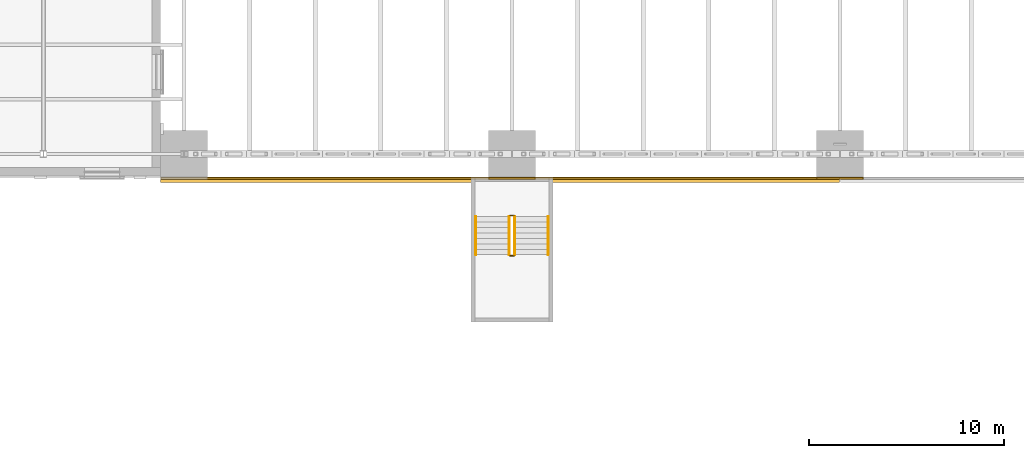
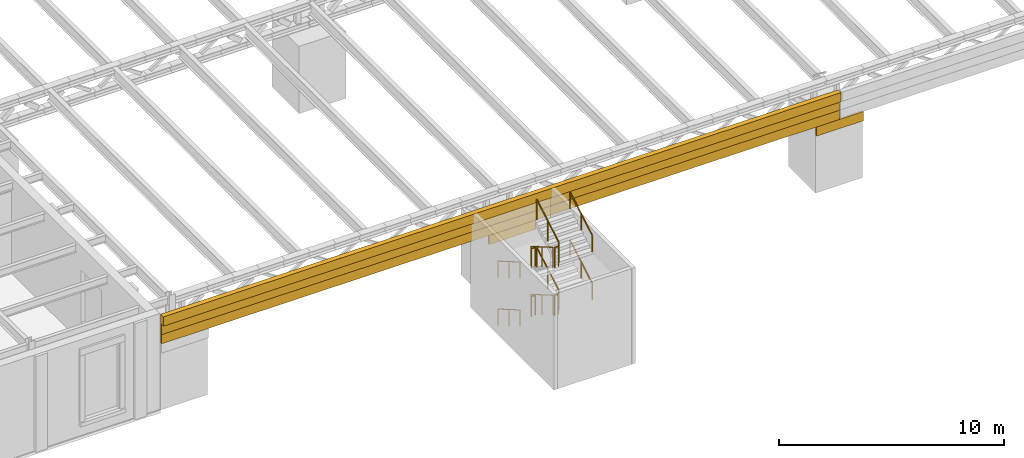
# One storey, part 80 of 93: 12 railings, 5 coverings.
"""IFC4 building model written with IfcOpenShell, lengths in metres."""

from ifc_helpers import new_model, si_unit, direction, frame, origin, origin_2d, place, context, subcontext, project, spatial, rectangle, circle, extrude, material, layer, layer_set, type_object, element, save


model = new_model("IFC4")

# Units and contexts
model_context = context("Model", 3, precision=1e-05, world=origin(), true_north=direction((0.0, 1.0)))
body_context = subcontext(model_context, "Body", "Model", "MODEL_VIEW")
ifc_project = project(units=[si_unit("LENGTHUNIT", "METRE"), si_unit("AREAUNIT", "SQUARE_METRE"), si_unit("VOLUMEUNIT", "CUBIC_METRE"), si_unit("PLANEANGLEUNIT", "RADIAN"), si_unit("MASSUNIT", "GRAM", prefix="KILO")], contexts=[model_context])

# Site, building, storey
site_placement = place(None, origin())
site = spatial("IfcSite", under=ifc_project, at=site_placement, CompositionType="ELEMENT")
building_placement = place(site_placement, origin())
building = spatial("IfcBuilding", under=site, at=building_placement, Name="Verrick Yard Athletic Hall", CompositionType="ELEMENT")
storey_placement = place(building_placement, frame((0.0, 0.0, 8.800048828125)))
storey = spatial("IfcBuildingStorey", under=building, at=storey_placement, Name="L02", CompositionType="ELEMENT", Elevation=8.800048828125)

# Coverings
ifc_material_1 = material(Name="Limestone cladding", Category="masonry")
ifc_layer_1 = layer(ifc_material_1, 0.25)
ifc_layer_set_1 = layer_set([ifc_layer_1], Name="Cornice")
covering_type_1 = type_object("IfcCoveringType", Name="Cornice", PredefinedType="MOLDING", material=ifc_layer_set_1)
covering_1_placement = place(storey_placement, frame((56.1875, 17.875, 4.699951171875), z_axis=(0.0, 0.0, 1.0), x_axis=(1.0, 0.0, 0.0)))
element("IfcCovering", 1, at=covering_1_placement, inside=storey, type_object=covering_type_1, Name="Cornice S1", PredefinedType="MOLDING", context=body_context, shape_type="SweptSolid", body=[
    extrude(rectangle(XDim=34.77490234375, YDim=0.25, at=origin_2d()), origin(), (0.0, 0.0, 1.0), 0.5),
])
ifc_layer_2 = layer(ifc_material_1, 0.10009765625)
ifc_layer_set_2 = layer_set([ifc_layer_2], Name="Entablature band")
covering_type_2 = type_object("IfcCoveringType", Name="Entablature band", PredefinedType="CLADDING", material=ifc_layer_set_2)
covering_2_placement = place(storey_placement, frame((56.1875, 17.949951171875, 3.64990234375), z_axis=(0.0, 0.0, 1.0), x_axis=(1.0, 0.0, 0.0)))
element("IfcCovering", 2, at=covering_2_placement, inside=storey, type_object=covering_type_2, Name="Architrave S1", PredefinedType="CLADDING", context=body_context, shape_type="SweptSolid", body=[
    extrude(rectangle(XDim=34.77490234375, YDim=0.10009765625, at=origin_2d()), origin(), (0.0, 0.0, 1.0), 0.5),
])
covering_3_placement = place(storey_placement, frame((56.1875, 17.949951171875, 4.14990234375), z_axis=(0.0, 0.0, 1.0), x_axis=(1.0, 0.0, 0.0)))
element("IfcCovering", 3, at=covering_3_placement, inside=storey, type_object=covering_type_2, Name="Frieze S1", PredefinedType="CLADDING", context=body_context, shape_type="SweptSolid", body=[
    extrude(rectangle(XDim=34.77490234375, YDim=0.10009765625, at=origin_2d()), origin(), (0.0, 0.0, 1.0), 0.550048828125),
])
ifc_layer_3 = layer(ifc_material_1, 0.10009765625)
ifc_layer_set_3 = layer_set([ifc_layer_3], Name="Impost and capital moulding")
covering_type_3 = type_object("IfcCoveringType", Name="Impost and capital moulding", PredefinedType="MOLDING", material=ifc_layer_set_3)
for number, where, z_axis, x_axis, name in (
    (4, (56.800048828125, 17.949951171875, 3.14990234375), (0.0, 0.0, 1.0), (1.0, 0.0, 0.0), "Capital S2"),
    (5, (73.60009765625, 17.949951171875, 3.14990234375), (0.0, 0.0, 1.0), (1.0, 0.0, 0.0), "Capital S3"),
):
    element("IfcCovering", number, at=place(storey_placement, frame(where, z_axis=z_axis, x_axis=x_axis)), inside=storey, type_object=covering_type_3, Name=name, PredefinedType="MOLDING", context=body_context, shape_type="SweptSolid", body=[
        extrude(rectangle(XDim=2.39990234375, YDim=0.10009765625, at=origin_2d()), origin(), (0.0, 0.0, 1.0), 0.5),
    ])

# Railings
ifc_material_2 = material(Name="Stainless steel", Category="steel")
railing_type_1 = type_object("IfcRailingType", Name="Stair and core guard 1100", PredefinedType="GUARDRAIL", material=ifc_material_2)
railing_1_placement = place(storey_placement, frame((56.64990234375, 16.0, 0.162353515625)))
element("IfcRailing", 6, at=railing_1_placement, inside=storey, type_object=railing_type_1, Name="L02 South deck escape 1 stair guard 1", PredefinedType="GUARDRAIL", context=body_context, shape_type="SweptSolid", body=[
    extrude(circle(Radius=0.02392578125, at=origin_2d()), frame((0.0, 0.0, 1.076171875), z_axis=(0.0, -0.864855337533, 0.502021160053), x_axis=(1.0, 0.0, 0.0)), (0.0, 0.0, 1.0), 2.26611328125),
    extrude(circle(Radius=0.02099609375, at=origin_2d()), origin(), (0.0, 0.0, 1.0), 1.052001953125),
    extrude(circle(Radius=0.02099609375, at=origin_2d()), frame((0.0, -0.97998046875, 0.56884765625)), (0.0, 0.0, 1.0), 1.052001953125),
    extrude(circle(Radius=0.02099609375, at=origin_2d()), frame((0.0, -1.9599609375, 1.1376953125)), (0.0, 0.0, 1.0), 1.052001953125),
])
railing_2_placement = place(storey_placement, frame((56.699951171875, 13.989990234375, 1.300048828125)))
element("IfcRailing", 7, at=railing_2_placement, inside=storey, type_object=railing_type_1, Name="L02 South deck escape 1 stair guard 2", PredefinedType="GUARDRAIL", context=body_context, shape_type="SweptSolid", body=[
    extrude(circle(Radius=0.02392578125, at=origin_2d()), frame((0.0, 0.0, 1.076171875), z_axis=(1.0, 0.0, 0.0), x_axis=(0.0, 1.0, 0.0)), (0.0, 0.0, 1.0), 0.199951171875),
    extrude(circle(Radius=0.02099609375, at=origin_2d()), origin(), (0.0, 0.0, 1.0), 1.052001953125),
    extrude(circle(Radius=0.02099609375, at=origin_2d()), frame((0.199951171875, 0.0, 0.0)), (0.0, 0.0, 1.0), 1.052001953125),
])
railing_3_placement = place(storey_placement, frame((56.949951171875, 14.0400390625, 1.46240234375)))
element("IfcRailing", 8, at=railing_3_placement, inside=storey, type_object=railing_type_1, Name="L02 South deck escape 1 stair guard 3", PredefinedType="GUARDRAIL", context=body_context, shape_type="SweptSolid", body=[
    extrude(circle(Radius=0.02392578125, at=origin_2d()), frame((0.0, 0.0, 1.076171875), z_axis=(0.0, 0.864902109995, 0.501940574298), x_axis=(-1.0, 0.0, 0.0)), (0.0, 0.0, 1.0), 2.26611328125),
    extrude(circle(Radius=0.02099609375, at=origin_2d()), origin(), (0.0, 0.0, 1.0), 1.052001953125),
    extrude(circle(Radius=0.02099609375, at=origin_2d()), frame((0.0, 0.97998046875, 0.56884765625)), (0.0, 0.0, 1.0), 1.052001953125),
    extrude(circle(Radius=0.02099609375, at=origin_2d()), frame((0.0, 1.9599609375, 1.137451171875)), (0.0, 0.0, 1.0), 1.052001953125),
])
railing_4_placement = place(storey_placement, frame((56.699951171875, 16.050048828125, 2.599853515625)))
element("IfcRailing", 9, at=railing_4_placement, inside=storey, type_object=railing_type_1, Name="L02 South deck escape 1 stair guard 4", PredefinedType="GUARDRAIL", context=body_context, shape_type="SweptSolid", body=[
    extrude(circle(Radius=0.02392578125, at=origin_2d()), frame((0.0, 0.0, 1.076171875), z_axis=(1.0, 0.0, 0.0), x_axis=(0.0, 1.0, 0.0)), (0.0, 0.0, 1.0), 0.199951171875),
    extrude(circle(Radius=0.02099609375, at=origin_2d()), origin(), (0.0, 0.0, 1.0), 1.052001953125),
    extrude(circle(Radius=0.02099609375, at=origin_2d()), frame((0.199951171875, 0.0, 0.0)), (0.0, 0.0, 1.0), 1.052001953125),
])
railing_5_placement = place(storey_placement, frame((56.64990234375, 16.0, 2.762451171875)))
element("IfcRailing", 10, at=railing_5_placement, inside=storey, type_object=railing_type_1, Name="L02 South deck escape 1 stair guard 5", PredefinedType="GUARDRAIL", context=body_context, shape_type="SweptSolid", body=[
    extrude(circle(Radius=0.02392578125, at=origin_2d()), frame((0.0, 0.0, 1.076171875), z_axis=(0.0, -0.864902109995, 0.501940574298), x_axis=(1.0, 0.0, 0.0)), (0.0, 0.0, 1.0), 2.26611328125),
    extrude(circle(Radius=0.02099609375, at=origin_2d()), origin(), (0.0, 0.0, 1.0), 1.052001953125),
    extrude(circle(Radius=0.02099609375, at=origin_2d()), frame((0.0, -0.97998046875, 0.56884765625)), (0.0, 0.0, 1.0), 1.052001953125),
    extrude(circle(Radius=0.02099609375, at=origin_2d()), frame((0.0, -1.9599609375, 1.137451171875)), (0.0, 0.0, 1.0), 1.052001953125),
])
railing_6_placement = place(storey_placement, frame((56.699951171875, 13.989990234375, 3.89990234375)))
element("IfcRailing", 11, at=railing_6_placement, inside=storey, type_object=railing_type_1, Name="L02 South deck escape 1 stair guard 6", PredefinedType="GUARDRAIL", context=body_context, shape_type="SweptSolid", body=[
    extrude(circle(Radius=0.02392578125, at=origin_2d()), frame((0.0, 0.0, 1.076171875), z_axis=(1.0, 0.0, 0.0), x_axis=(0.0, 1.0, 0.0)), (0.0, 0.0, 1.0), 0.199951171875),
    extrude(circle(Radius=0.02099609375, at=origin_2d()), origin(), (0.0, 0.0, 1.0), 1.052001953125),
    extrude(circle(Radius=0.02099609375, at=origin_2d()), frame((0.199951171875, 0.0, 0.0)), (0.0, 0.0, 1.0), 1.052001953125),
])
railing_7_placement = place(storey_placement, frame((56.949951171875, 14.0400390625, 4.0625)))
element("IfcRailing", 12, at=railing_7_placement, inside=storey, type_object=railing_type_1, Name="L02 South deck escape 1 stair guard 7", PredefinedType="GUARDRAIL", context=body_context, shape_type="SweptSolid", body=[
    extrude(circle(Radius=0.02392578125, at=origin_2d()), frame((0.0, 0.0, 1.076171875), z_axis=(0.0, 0.864902109995, 0.501940574298), x_axis=(-1.0, 0.0, 0.0)), (0.0, 0.0, 1.0), 2.26611328125),
    extrude(circle(Radius=0.02099609375, at=origin_2d()), origin(), (0.0, 0.0, 1.0), 1.052001953125),
    extrude(circle(Radius=0.02099609375, at=origin_2d()), frame((0.0, 0.97998046875, 0.56884765625)), (0.0, 0.0, 1.0), 1.052001953125),
    extrude(circle(Radius=0.02099609375, at=origin_2d()), frame((0.0, 1.9599609375, 1.137451171875)), (0.0, 0.0, 1.0), 1.052001953125),
])
railing_8_placement = place(storey_placement, frame((56.699951171875, 16.050048828125, 0.0)))
element("IfcRailing", 13, at=railing_8_placement, inside=storey, type_object=railing_type_1, Name="L02 South deck escape 1 stair guard 8", PredefinedType="GUARDRAIL", context=body_context, shape_type="SweptSolid", body=[
    extrude(circle(Radius=0.02392578125, at=origin_2d()), frame((0.0, 0.0, 1.076171875), z_axis=(1.0, 0.0, 0.0), x_axis=(0.0, 1.0, 0.0)), (0.0, 0.0, 1.0), 0.199951171875),
    extrude(circle(Radius=0.02099609375, at=origin_2d()), origin(), (0.0, 0.0, 1.0), 1.052001953125),
    extrude(circle(Radius=0.02099609375, at=origin_2d()), frame((0.199951171875, 0.0, 0.0)), (0.0, 0.0, 1.0), 1.052001953125),
])
railing_type_2 = type_object("IfcRailingType", Name="Stair handrail 900", PredefinedType="HANDRAIL", material=ifc_material_2)
railing_9_placement = place(storey_placement, frame((54.949951171875, 16.0, 0.162353515625)))
element("IfcRailing", 14, at=railing_9_placement, inside=storey, type_object=railing_type_2, Name="L02 South deck escape 1 stair handrail 1", PredefinedType="HANDRAIL", context=body_context, shape_type="SweptSolid", body=[
    extrude(circle(Radius=0.02392578125, at=origin_2d()), frame((0.0, 0.0, 0.8759765625), z_axis=(0.0, -0.864855337533, 0.502021160053), x_axis=(1.0, 0.0, 0.0)), (0.0, 0.0, 1.0), 2.26611328125),
    extrude(circle(Radius=0.02099609375, at=origin_2d()), origin(), (0.0, 0.0, 1.0), 0.851806640625),
    extrude(circle(Radius=0.02099609375, at=origin_2d()), frame((0.0, -0.97998046875, 0.56884765625)), (0.0, 0.0, 1.0), 0.851806640625),
    extrude(circle(Radius=0.02099609375, at=origin_2d()), frame((0.0, -1.9599609375, 1.1376953125)), (0.0, 0.0, 1.0), 0.851806640625),
])
railing_10_placement = place(storey_placement, frame((58.64990234375, 14.0400390625, 1.46240234375)))
element("IfcRailing", 15, at=railing_10_placement, inside=storey, type_object=railing_type_2, Name="L02 South deck escape 1 stair handrail 2", PredefinedType="HANDRAIL", context=body_context, shape_type="SweptSolid", body=[
    extrude(circle(Radius=0.02392578125, at=origin_2d()), frame((0.0, 0.0, 0.8759765625), z_axis=(0.0, 0.864902109995, 0.501940574298), x_axis=(-1.0, 0.0, 0.0)), (0.0, 0.0, 1.0), 2.26611328125),
    extrude(circle(Radius=0.02099609375, at=origin_2d()), origin(), (0.0, 0.0, 1.0), 0.851806640625),
    extrude(circle(Radius=0.02099609375, at=origin_2d()), frame((0.0, 0.97998046875, 0.56884765625)), (0.0, 0.0, 1.0), 0.851806640625),
    extrude(circle(Radius=0.02099609375, at=origin_2d()), frame((0.0, 1.9599609375, 1.137451171875)), (0.0, 0.0, 1.0), 0.851806640625),
])
railing_11_placement = place(storey_placement, frame((54.949951171875, 16.0, 2.762451171875)))
element("IfcRailing", 16, at=railing_11_placement, inside=storey, type_object=railing_type_2, Name="L02 South deck escape 1 stair handrail 3", PredefinedType="HANDRAIL", context=body_context, shape_type="SweptSolid", body=[
    extrude(circle(Radius=0.02392578125, at=origin_2d()), frame((0.0, 0.0, 0.8759765625), z_axis=(0.0, -0.864902109995, 0.501940574298), x_axis=(1.0, 0.0, 0.0)), (0.0, 0.0, 1.0), 2.26611328125),
    extrude(circle(Radius=0.02099609375, at=origin_2d()), origin(), (0.0, 0.0, 1.0), 0.851806640625),
    extrude(circle(Radius=0.02099609375, at=origin_2d()), frame((0.0, -0.97998046875, 0.56884765625)), (0.0, 0.0, 1.0), 0.851806640625),
    extrude(circle(Radius=0.02099609375, at=origin_2d()), frame((0.0, -1.9599609375, 1.137451171875)), (0.0, 0.0, 1.0), 0.851806640625),
])
railing_12_placement = place(storey_placement, frame((58.64990234375, 14.0400390625, 4.0625)))
element("IfcRailing", 17, at=railing_12_placement, inside=storey, type_object=railing_type_2, Name="L02 South deck escape 1 stair handrail 4", PredefinedType="HANDRAIL", context=body_context, shape_type="SweptSolid", body=[
    extrude(circle(Radius=0.02392578125, at=origin_2d()), frame((0.0, 0.0, 0.8759765625), z_axis=(0.0, 0.864902109995, 0.501940574298), x_axis=(-1.0, 0.0, 0.0)), (0.0, 0.0, 1.0), 2.26611328125),
    extrude(circle(Radius=0.02099609375, at=origin_2d()), origin(), (0.0, 0.0, 1.0), 0.851806640625),
    extrude(circle(Radius=0.02099609375, at=origin_2d()), frame((0.0, 0.97998046875, 0.56884765625)), (0.0, 0.0, 1.0), 0.851806640625),
    extrude(circle(Radius=0.02099609375, at=origin_2d()), frame((0.0, 1.9599609375, 1.137451171875)), (0.0, 0.0, 1.0), 0.851806640625),
])

save(model, "model.ifc")
